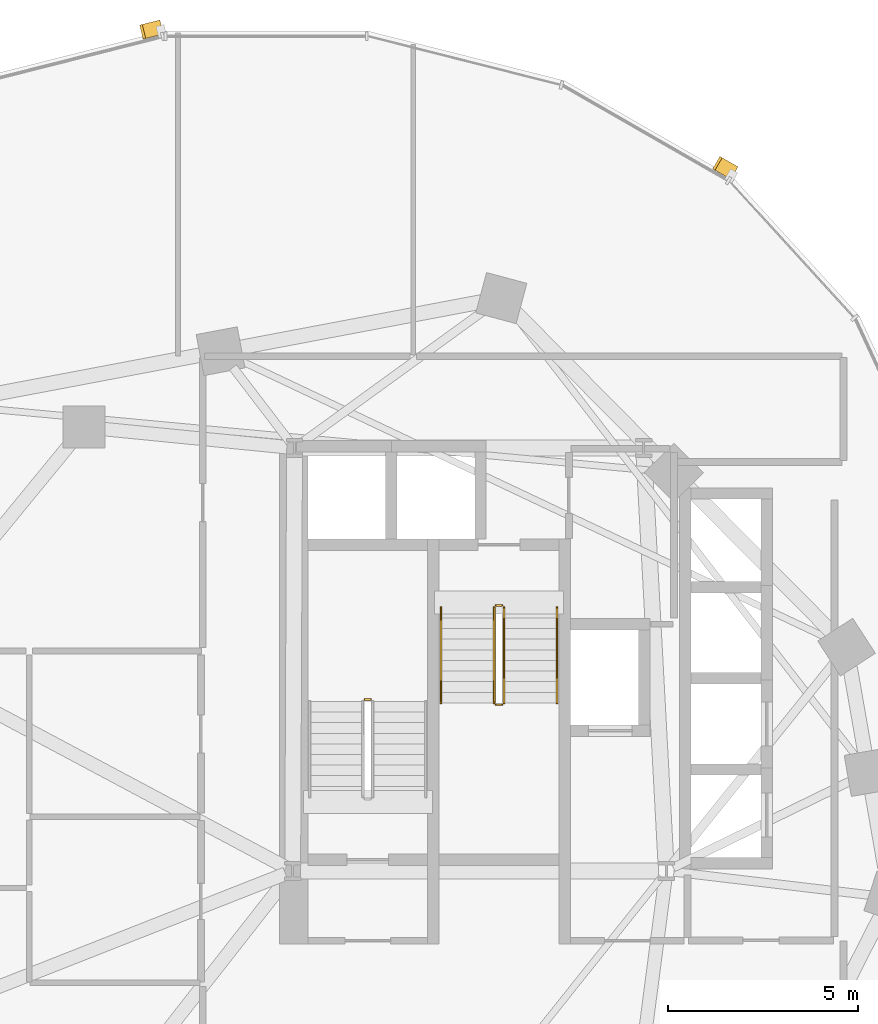
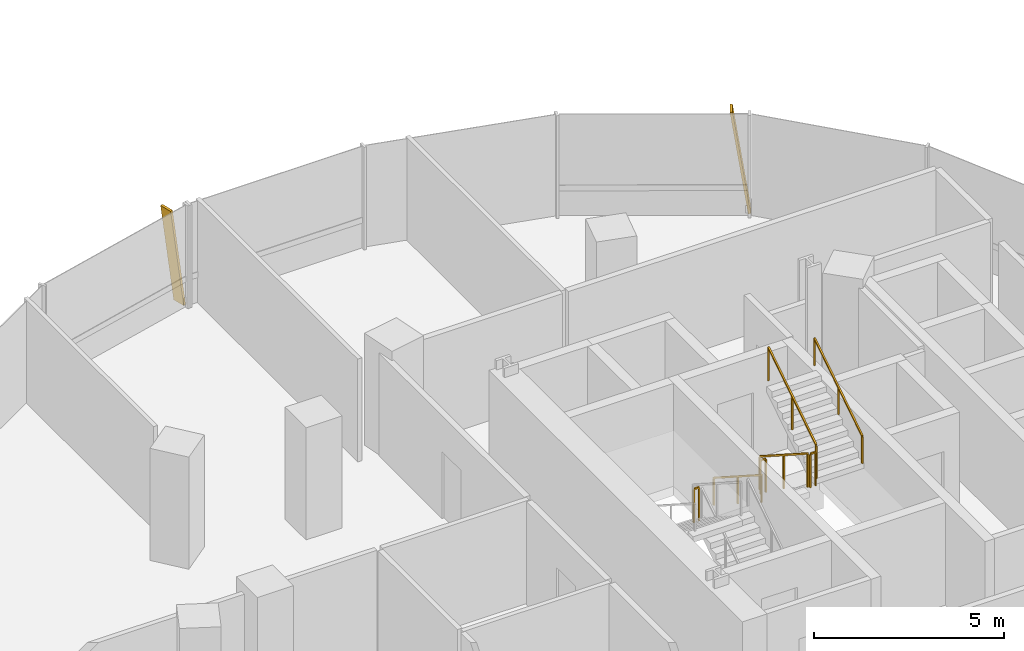
# One storey, part 19 of 21: 7 railings, 2 shading devices.
"""IFC4 building model written with IfcOpenShell, lengths in metres."""

from ifc_helpers import new_model, si_unit, direction, frame, origin, origin_2d, place, context, subcontext, project, spatial, rectangle, extrude, material, material_profile, profile_set, type_object, element, save


model = new_model("IFC4")

# Units and contexts
model_context = context("Model", 3, precision=1e-05, world=origin(), true_north=direction((0.0, 1.0)))
body_context = subcontext(model_context, "Body", "Model", "MODEL_VIEW")
ifc_project = project(units=[si_unit("LENGTHUNIT", "METRE"), si_unit("AREAUNIT", "SQUARE_METRE"), si_unit("VOLUMEUNIT", "CUBIC_METRE"), si_unit("PLANEANGLEUNIT", "RADIAN"), si_unit("MASSUNIT", "GRAM", prefix="KILO"), si_unit("THERMODYNAMICTEMPERATUREUNIT", "KELVIN"), si_unit("POWERUNIT", "WATT")], contexts=[model_context])

# Site, building, storey
site_placement = place(None, origin())
site = spatial("IfcSite", under=ifc_project, at=site_placement, CompositionType="ELEMENT")
building_placement = place(site_placement, origin())
building = spatial("IfcBuilding", under=site, at=building_placement, Name="Cundina Bronze Exchange", CompositionType="ELEMENT")
storey_placement = place(building_placement, frame((0.0, 0.0, 99.800048828125)))
storey = spatial("IfcBuildingStorey", under=building, at=storey_placement, Name="L25", CompositionType="ELEMENT", Elevation=99.800048828125)

# Railings
ifc_material_1 = material(Name="Steel ASTM A36 Painted", Category="steel")
railing_type_1 = type_object("IfcRailingType", Name="RLG-HND-900", PredefinedType="HANDRAIL", material=ifc_material_1)
railing_1_placement = place(storey_placement, frame((-27.389892578125, 10.85009765625, 0.179931640625)))
element("IfcRailing", 1, at=railing_1_placement, inside=storey, type_object=railing_type_1, Name="L25 ST-W2 stair handrail 1", PredefinedType="HANDRAIL", context=body_context, shape_type="SweptSolid", body=[
    extrude(rectangle(XDim=0.048095703125, YDim=0.048095703125, at=origin_2d()), frame((0.0, 0.0, 0.8759765625), z_axis=(0.0, -0.841162588446, 0.540782303519), x_axis=(1.0, 0.0, 0.0)), (0.0, 0.0, 1.0), 2.995849609375),
    extrude(rectangle(XDim=0.0419921875, YDim=0.0419921875, at=origin_2d()), origin(), (0.0, 0.0, 1.0), 0.851806640625),
    extrude(rectangle(XDim=0.0419921875, YDim=0.0419921875, at=origin_2d()), frame((0.0, -1.260009765625, 0.81005859375)), (0.0, 0.0, 1.0), 0.851806640625),
    extrude(rectangle(XDim=0.0419921875, YDim=0.0419921875, at=origin_2d()), frame((0.0, -2.52001953125, 1.6201171875)), (0.0, 0.0, 1.0), 0.851806640625),
])
railing_2_placement = place(storey_placement, frame((-24.330078125, 8.330078125, 1.97998046875)))
element("IfcRailing", 2, at=railing_2_placement, inside=storey, type_object=railing_type_1, Name="L25 ST-W2 stair handrail 2", PredefinedType="HANDRAIL", context=body_context, shape_type="SweptSolid", body=[
    extrude(rectangle(XDim=0.048095703125, YDim=0.048095703125, at=origin_2d()), frame((0.0, 0.0, 0.8759765625), z_axis=(0.0, 0.841199657755, 0.540724639528), x_axis=(-1.0, 0.0, 0.0)), (0.0, 0.0, 1.0), 2.995849609375),
    extrude(rectangle(XDim=0.0419921875, YDim=0.0419921875, at=origin_2d()), origin(), (0.0, 0.0, 1.0), 0.851806640625),
    extrude(rectangle(XDim=0.0419921875, YDim=0.0419921875, at=origin_2d()), frame((0.0, 1.260009765625, 0.81005859375)), (0.0, 0.0, 1.0), 0.851806640625),
    extrude(rectangle(XDim=0.0419921875, YDim=0.0419921875, at=origin_2d()), frame((0.0, 2.52001953125, 1.619873046875)), (0.0, 0.0, 1.0), 0.851806640625),
])
railing_type_2 = type_object("IfcRailingType", Name="RLG-STG-1100", PredefinedType="GUARDRAIL", material=ifc_material_1)
railing_3_placement = place(storey_placement, frame((-29.239990234375, 8.419921875, 1.800048828125)))
element("IfcRailing", 3, at=railing_3_placement, inside=storey, type_object=railing_type_2, Name="L25 ST-W1 stair guard 2", PredefinedType="GUARDRAIL", context=body_context, shape_type="SweptSolid", body=[
    extrude(rectangle(XDim=0.048095703125, YDim=0.048095703125, at=origin_2d()), frame((0.0, 0.0, 1.076171875), z_axis=(-1.0, 0.0, 0.0), x_axis=(0.0, -1.0, 0.0)), (0.0, 0.0, 1.0), 0.159912109375),
    extrude(rectangle(XDim=0.0419921875, YDim=0.0419921875, at=origin_2d()), origin(), (0.0, 0.0, 1.0), 1.052001953125),
    extrude(rectangle(XDim=0.0419921875, YDim=0.0419921875, at=origin_2d()), frame((-0.159912109375, 0.0, 0.0)), (0.0, 0.0, 1.0), 1.052001953125),
])
railing_4_placement = place(storey_placement, frame((-25.989990234375, 10.85009765625, 0.179931640625)))
element("IfcRailing", 4, at=railing_4_placement, inside=storey, type_object=railing_type_2, Name="L25 ST-W2 stair guard 1", PredefinedType="GUARDRAIL", context=body_context, shape_type="SweptSolid", body=[
    extrude(rectangle(XDim=0.048095703125, YDim=0.048095703125, at=origin_2d()), frame((0.0, 0.0, 1.076171875), z_axis=(0.0, -0.841162588446, 0.540782303519), x_axis=(1.0, 0.0, 0.0)), (0.0, 0.0, 1.0), 2.995849609375),
    extrude(rectangle(XDim=0.0419921875, YDim=0.0419921875, at=origin_2d()), origin(), (0.0, 0.0, 1.0), 1.052001953125),
    extrude(rectangle(XDim=0.0419921875, YDim=0.0419921875, at=origin_2d()), frame((0.0, -1.260009765625, 0.81005859375)), (0.0, 0.0, 1.0), 1.052001953125),
    extrude(rectangle(XDim=0.0419921875, YDim=0.0419921875, at=origin_2d()), frame((0.0, -2.52001953125, 1.6201171875)), (0.0, 0.0, 1.0), 1.052001953125),
])
railing_5_placement = place(storey_placement, frame((-25.93994140625, 8.280029296875, 1.800048828125)))
element("IfcRailing", 5, at=railing_5_placement, inside=storey, type_object=railing_type_2, Name="L25 ST-W2 stair guard 2", PredefinedType="GUARDRAIL", context=body_context, shape_type="SweptSolid", body=[
    extrude(rectangle(XDim=0.048095703125, YDim=0.048095703125, at=origin_2d()), frame((0.0, 0.0, 1.076171875), z_axis=(1.0, 0.0, 0.0), x_axis=(0.0, 1.0, 0.0)), (0.0, 0.0, 1.0), 0.159912109375),
    extrude(rectangle(XDim=0.0419921875, YDim=0.0419921875, at=origin_2d()), origin(), (0.0, 0.0, 1.0), 1.052001953125),
    extrude(rectangle(XDim=0.0419921875, YDim=0.0419921875, at=origin_2d()), frame((0.159912109375, 0.0, 0.0)), (0.0, 0.0, 1.0), 1.052001953125),
])
railing_6_placement = place(storey_placement, frame((-25.72998046875, 8.330078125, 1.97998046875)))
element("IfcRailing", 6, at=railing_6_placement, inside=storey, type_object=railing_type_2, Name="L25 ST-W2 stair guard 3", PredefinedType="GUARDRAIL", context=body_context, shape_type="SweptSolid", body=[
    extrude(rectangle(XDim=0.048095703125, YDim=0.048095703125, at=origin_2d()), frame((0.0, 0.0, 1.076171875), z_axis=(0.0, 0.841199657755, 0.540724639528), x_axis=(-1.0, 0.0, 0.0)), (0.0, 0.0, 1.0), 2.995849609375),
    extrude(rectangle(XDim=0.0419921875, YDim=0.0419921875, at=origin_2d()), origin(), (0.0, 0.0, 1.0), 1.052001953125),
    extrude(rectangle(XDim=0.0419921875, YDim=0.0419921875, at=origin_2d()), frame((0.0, 1.260009765625, 0.81005859375)), (0.0, 0.0, 1.0), 1.052001953125),
    extrude(rectangle(XDim=0.0419921875, YDim=0.0419921875, at=origin_2d()), frame((0.0, 2.52001953125, 1.619873046875)), (0.0, 0.0, 1.0), 1.052001953125),
])
railing_7_placement = place(storey_placement, frame((-25.93994140625, 10.89990234375, 0.0)))
element("IfcRailing", 7, at=railing_7_placement, inside=storey, type_object=railing_type_2, Name="L25 ST-W2 stair guard 4", PredefinedType="GUARDRAIL", context=body_context, shape_type="SweptSolid", body=[
    extrude(rectangle(XDim=0.048095703125, YDim=0.048095703125, at=origin_2d()), frame((0.0, 0.0, 1.076171875), z_axis=(1.0, 0.0, 0.0), x_axis=(0.0, 1.0, 0.0)), (0.0, 0.0, 1.0), 0.159912109375),
    extrude(rectangle(XDim=0.0419921875, YDim=0.0419921875, at=origin_2d()), origin(), (0.0, 0.0, 1.0), 1.052001953125),
    extrude(rectangle(XDim=0.0419921875, YDim=0.0419921875, at=origin_2d()), frame((0.159912109375, 0.0, 0.0)), (0.0, 0.0, 1.0), 1.052001953125),
])

# Shading devices
ifc_material_2 = material(Name="Anodised Bronze Aluminium 6063-T6", Category="aluminium")
ifc_material_profile = material_profile(ifc_material_2, rectangle(XDim=0.070068359375, YDim=0.3798828125, at=origin_2d()), Name="FIN70X380", Category="aluminium")
ifc_profile_set = profile_set([ifc_material_profile], Name="Anodised Bronze Aluminium 6063-T6")
shading_device_type = type_object("IfcShadingDeviceType", Name="SHD-FIN-BRZ380", PredefinedType="USERDEFINED", material=ifc_profile_set)
for number, where, z_axis, x_axis, name in (
    (8, (-19.685791015625, 22.314208984375, 0.02001953125), (-0.126324692219, 0.072534823274, 0.989333498649), (0.857958278167, -0.492634108109, 0.145668213594), "L25 Diagonal Bronze Solar Fin 5"),
    (9, (-34.787353515625, 26.138427734375, 0.02001953125), (-0.141217047268, -0.035711761166, 0.989334329575), (0.95914051701, 0.242552848478, 0.145662570088), "L25 Diagonal Bronze Solar Fin 1"),
):
    element("IfcShadingDevice", number, at=place(storey_placement, frame(where, z_axis=z_axis, x_axis=x_axis)), inside=storey, type_object=shading_device_type, Name=name, ObjectType="FIN", PredefinedType="USERDEFINED", context=body_context, shape_type="SweptSolid", body=[
        extrude(rectangle(XDim=0.070068359375, YDim=0.3798828125, at=origin_2d()), origin(), (0.0, 0.0, 1.0), 3.295166015625),
    ])

save(model, "model.ifc")
